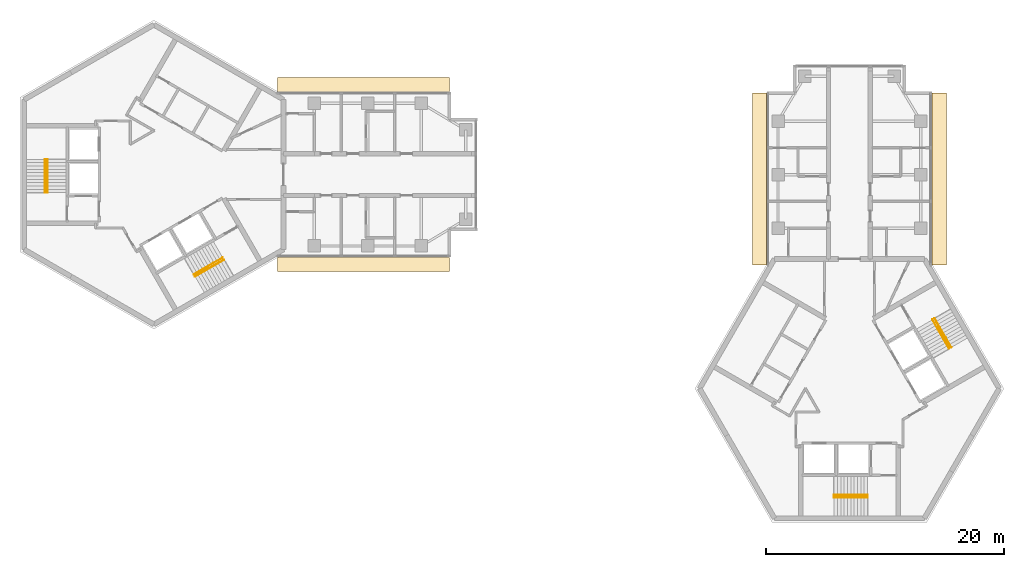
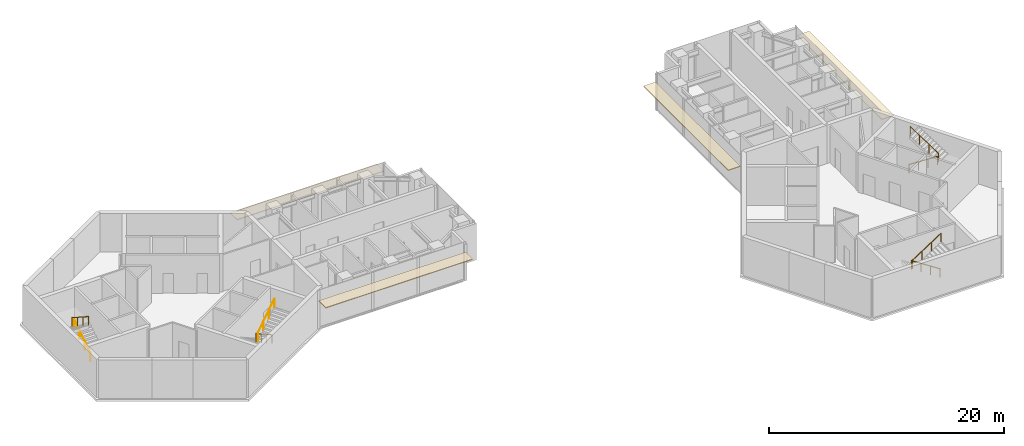
# One storey, part 11 of 11: 8 railings, 4 coverings.
"""IFC4 building model written with IfcOpenShell, lengths in metres."""

import ifcopenshell
import ifcopenshell.guid

model = None  # the IFC model being written
_history = None  # IfcOwnerHistory: only IFC2X3 demands one
_inside = {}  # id of a spatial element -> (the spatial element, [elements in it])
_under = {}  # id of a project, library or spatial element -> (it, [spatial elements below it])
_declared = {}  # id of a project -> (the project, [libraries it declares])
_typed = {}  # id of a type object -> (the type object, [elements of that type])
_made_of = {}  # id of a material, layer set ... -> (it, [elements and type objects made of it])


def new_model(schema):
    """Start an empty IFC model of exactly this schema.

    Asked for "IFC4X3", IfcOpenShell would pick the latest addendum, in which some entities
    have other attributes; the version numbers below select the first issue.
    IFC2X3 requires an IfcOwnerHistory on every rooted entity: one is made here for all.
    """
    global model, _history
    if schema == "IFC4X3":
        model = ifcopenshell.file(schema_version=(4, 3, 0, 0))
    else:
        model = ifcopenshell.file(schema=schema)
    _inside.clear()
    _under.clear()
    _declared.clear()
    _typed.clear()
    _made_of.clear()
    _history = None
    if model.schema == "IFC2X3":
        org = make("IfcOrganization", Name="unknown")
        user = make(
            "IfcPersonAndOrganization",
            ThePerson=make("IfcPerson", FamilyName="unknown"),
            TheOrganization=org,
        )
        app = make(
            "IfcApplication",
            ApplicationDeveloper=org,
            Version="unknown",
            ApplicationFullName="unknown",
            ApplicationIdentifier="unknown",
        )
        _history = make(
            "IfcOwnerHistory",
            OwningUser=user,
            OwningApplication=app,
            ChangeAction="ADDED",
            CreationDate=0,
        )
    return model


def make(cls, **values):
    """One entity of the class cls with the attributes given. An attribute that is None is left unset."""
    return model.create_entity(
        cls, **{name: value for name, value in values.items() if value is not None}
    )


def rooted(cls, **values):
    """An entity with a GlobalId (a new one), such as an element, a storey or a relation."""
    return make(cls, GlobalId=ifcopenshell.guid.new(), OwnerHistory=_history, **values)


def si_unit(unit_type, name, prefix=None):
    """IfcSIUnit, for example si_unit("LENGTHUNIT", "METRE", prefix="MILLI")."""
    return make("IfcSIUnit", UnitType=unit_type, Prefix=prefix, Name=name)


def assignment(units):
    """IfcUnitAssignment: the units of a project."""
    return None if units is None else make("IfcUnitAssignment", Units=units)


def point(xyz):
    """IfcCartesianPoint."""
    return None if xyz is None else make("IfcCartesianPoint", Coordinates=xyz)


def direction(xyz):
    """IfcDirection."""
    return None if xyz is None else make("IfcDirection", DirectionRatios=xyz)


def frame(location, z_axis=None, x_axis=None):
    """IfcAxis2Placement3D, a coordinate frame: its origin and axes. An axis left out is left unset."""
    return make(
        "IfcAxis2Placement3D",
        Location=point(location),
        Axis=direction(z_axis),
        RefDirection=direction(x_axis),
    )


def frame_2d(location, x_axis=None):
    """IfcAxis2Placement2D, a coordinate frame in the plane: its origin and x axis."""
    return make(
        "IfcAxis2Placement2D", Location=point(location), RefDirection=direction(x_axis)
    )


def origin():
    """The frame at (0, 0, 0) with its axes left unset."""
    return frame((0.0, 0.0, 0.0))


def origin_2d():
    """The frame at (0, 0) in the plane with its x axis left unset."""
    return frame_2d((0.0, 0.0))


def place(relative_to, where):
    """IfcLocalPlacement: puts the frame where relative to a parent placement (None: the world)."""
    return make(
        "IfcLocalPlacement", PlacementRelTo=relative_to, RelativePlacement=where
    )


def context(
    kind, dimensions, precision=None, world=None, true_north=None, identifier=None
):
    """IfcGeometricRepresentationContext, for example the 3D "Model" context."""
    return make(
        "IfcGeometricRepresentationContext",
        ContextIdentifier=identifier,
        ContextType=kind,
        CoordinateSpaceDimension=dimensions,
        Precision=precision,
        WorldCoordinateSystem=world,
        TrueNorth=true_north,
    )


def subcontext(parent, identifier, kind, view, scale=None):
    """IfcGeometricRepresentationSubContext, for example "Body" below "Model"."""
    return make(
        "IfcGeometricRepresentationSubContext",
        ContextIdentifier=identifier,
        ContextType=kind,
        ParentContext=parent,
        TargetScale=scale,
        TargetView=view,
    )


def project(units=None, contexts=None):
    """IfcProject with its units and contexts."""
    return rooted(
        "IfcProject",
        Name="project",
        RepresentationContexts=contexts,
        UnitsInContext=assignment(units),
    )


def spatial(cls, under=None, at=None, **own):
    """A site, building, storey or space (cls), placed at a placement, below another one or the project."""
    s = rooted(cls, ObjectPlacement=at, **own)
    if under is not None:
        _under.setdefault(under.id(), (under, []))[1].append(s)
    return s


def profile(cls, at=None, kind="AREA", **sizes):
    """A parametric profile (cls). Its sizes go by their IFC names, for example OverallWidth=200.0."""
    return make(cls, ProfileType=kind, Position=at, **sizes)


def rectangle(**sizes):
    """IfcRectangleProfileDef."""
    return profile("IfcRectangleProfileDef", **sizes)


def circle(**sizes):
    """IfcCircleProfileDef."""
    return profile("IfcCircleProfileDef", **sizes)


def extrude(swept, where, along, depth):
    """IfcExtrudedAreaSolid: the profile swept, set in the frame where, extruded along a direction by depth."""
    return make(
        "IfcExtrudedAreaSolid",
        SweptArea=swept,
        Position=where,
        ExtrudedDirection=direction(along),
        Depth=depth,
    )


def shape(context_of_items, identifier, shape_type, items):
    """IfcShapeRepresentation: the items that make up one representation, for example the "Body"."""
    return make(
        "IfcShapeRepresentation",
        ContextOfItems=context_of_items,
        RepresentationIdentifier=identifier,
        RepresentationType=shape_type,
        Items=items,
    )


def material(Name=None, Category=None):
    """IfcMaterial."""
    return make("IfcMaterial", Name=Name, Category=Category)


def layer(
    of_material, thickness, ventilated=None, Name=None, Category=None, Priority=None
):
    """IfcMaterialLayer: one layer of a wall or slab, of a material (None: an air gap)."""
    return make(
        "IfcMaterialLayer",
        Material=of_material,
        LayerThickness=thickness,
        IsVentilated=ventilated,
        Name=Name,
        Category=Category,
        Priority=Priority,
    )


def layer_set(layers, Name=None):
    """IfcMaterialLayerSet."""
    return make("IfcMaterialLayerSet", MaterialLayers=layers, LayerSetName=Name)


def made_of(thing, what):
    """Note that an element or type object is made of a material, layer set ...; save() writes the relation."""
    if what is not None:
        _made_of.setdefault(what.id(), (what, []))[1].append(thing)
    return thing


def type_object(cls, material=None, **own):
    """A type object (cls), such as IfcWallType, which elements share."""
    return made_of(rooted(cls, **own), material)


def element(
    cls,
    number,
    at=None,
    inside=None,
    cuts=None,
    type_object=None,
    material=None,
    context=None,
    identifier="Body",
    shape_type=None,
    held_by="IfcProductDefinitionShape",
    body=None,
    shapes=None,
    **own,
):
    """One element of the class cls, such as IfcWall. Its Tag is "e" and its number.

    at: its placement. inside: the storey or other place that contains it. cuts: it is an
    opening in that element (IfcRelVoidsElement). A single representation is given by context,
    identifier, shape_type and body (its items); several are given by shapes. held_by: the class
    of the entity that holds the representations. save() writes the other relations.
    """
    e = rooted(cls, Tag="e%d" % number, ObjectPlacement=at, **own)
    if body is not None:
        shapes = [shape(context, identifier, shape_type, body)]
    if shapes is not None:
        e.Representation = make(held_by, Representations=shapes)
    if inside is not None:
        _inside.setdefault(inside.id(), (inside, []))[1].append(e)
    if cuts is not None:
        rooted(
            "IfcRelVoidsElement", RelatingBuildingElement=cuts, RelatedOpeningElement=e
        )
    if type_object is not None:
        _typed.setdefault(type_object.id(), (type_object, []))[1].append(e)
    return made_of(e, material)


def aggregate(whole, parts):
    """IfcRelAggregates: a whole, such as a stair, and the parts it consists of."""
    return rooted("IfcRelAggregates", RelatingObject=whole, RelatedObjects=parts)


def save(model, path):
    """Write the relations noted so far, then the file.

    IfcRelAggregates (storeys below a building ...), IfcRelContainedInSpatialStructure (elements
    in a storey), IfcRelDefinesByType, IfcRelAssociatesMaterial and IfcRelDeclares: one each for
    every whole, place, type object, material and project.
    """
    for whole, parts in _under.values():
        aggregate(whole, parts)
    for where, things in _inside.values():
        rooted(
            "IfcRelContainedInSpatialStructure",
            RelatedElements=things,
            RelatingStructure=where,
        )
    for kind, things in _typed.values():
        rooted("IfcRelDefinesByType", RelatedObjects=things, RelatingType=kind)
    for what, things in _made_of.values():
        rooted("IfcRelAssociatesMaterial", RelatedObjects=things, RelatingMaterial=what)
    for by, libraries in _declared.values():
        rooted("IfcRelDeclares", RelatingContext=by, RelatedDefinitions=libraries)
    model.write(path)


model = new_model("IFC4")

# Units and contexts
model_context = context("Model", 3, precision=1e-05, world=origin(), true_north=direction((0.0, 1.0)))
body_context = subcontext(model_context, "Body", "Model", "MODEL_VIEW")
ifc_project = project(units=[si_unit("LENGTHUNIT", "METRE"), si_unit("AREAUNIT", "SQUARE_METRE"), si_unit("VOLUMEUNIT", "CUBIC_METRE"), si_unit("PLANEANGLEUNIT", "RADIAN"), si_unit("MASSUNIT", "GRAM", prefix="KILO")], contexts=[model_context])

# Site, building, storey
site_placement = place(None, origin())
site = spatial("IfcSite", under=ifc_project, at=site_placement, CompositionType="ELEMENT")
building_placement = place(site_placement, origin())
building = spatial("IfcBuilding", under=site, at=building_placement, Name="Upepo Twin Towers", CompositionType="ELEMENT")
storey_placement = place(building_placement, frame((0.0, 0.0, 259.5)))
storey = spatial("IfcBuildingStorey", under=building, at=storey_placement, Name="L63", CompositionType="ELEMENT", Elevation=259.5)

# Coverings
ifc_material_1 = material(Name="Anodised aluminium, pale silver", Category="aluminium")
ifc_layer = layer(ifc_material_1, 0.080078125)
ifc_layer_set = layer_set([ifc_layer], Name="Brise-soleil blade 1200 pale aluminium")
covering_type = type_object("IfcCoveringType", Name="Brise-soleil blade 1200 pale aluminium", PredefinedType="USERDEFINED", material=ifc_layer_set)
for number, where, z_axis, x_axis, name in (
    (1, (17.61865234375, 7.56494140625, 2.909912109375), (0.0, 0.0, 1.0), (1.0, 0.0, 0.0), "T1 L63 wing A brise-soleil L"),
    (2, (17.61865234375, -7.56494140625, 2.909912109375), (0.0, 0.0, 1.0), (1.0, 0.0, 0.0), "T1 L63 wing A brise-soleil R"),
    (3, (50.93505859375, -0.38134765625, 2.909912109375), (0.0, 0.0, 1.0), (0.0, 1.0, 0.0), "T2 L63 wing A brise-soleil L"),
    (4, (66.06494140625, -0.38134765625, 2.909912109375), (0.0, 0.0, 1.0), (0.0, 1.0, 0.0), "T2 L63 wing A brise-soleil R"),
):
    element("IfcCovering", number, at=place(storey_placement, frame(where, z_axis=z_axis, x_axis=x_axis)), inside=storey, type_object=covering_type, Name=name, ObjectType="SUNSHADE", PredefinedType="USERDEFINED", context=body_context, shape_type="SweptSolid", body=[
        extrude(rectangle(XDim=14.462890625, YDim=1.199951171875, at=origin_2d()), origin(), (0.0, 0.0, 1.0), 0.080078125),
    ])

# Railings
ifc_material_2 = material(Name="Stainless steel", Category="steel")
railing_type = type_object("IfcRailingType", Name="Stair handrail 900", PredefinedType="HANDRAIL", material=ifc_material_2)
railing_1_placement = place(storey_placement, frame((-8.949951171875, -1.52001953125, 0.181884765625)))
element("IfcRailing", 5, at=railing_1_placement, inside=storey, type_object=railing_type, Name="T1 stair S1 L63 handrail 1", PredefinedType="HANDRAIL", context=body_context, shape_type="SweptSolid", body=[
    extrude(circle(Radius=0.02392578125, at=origin_2d()), frame((0.0, 0.0, 0.8759765625), z_axis=(0.0, 0.838705829183, 0.544584733623), x_axis=(-1.0, 0.0, 0.0)), (0.0, 0.0, 1.0), 3.338623046875),
    extrude(circle(Radius=0.02099609375, at=origin_2d()), origin(), (0.0, 0.0, 1.0), 0.851806640625),
    extrude(circle(Radius=0.02099609375, at=origin_2d()), frame((0.0, 0.933349609375, 0.60595703125)), (0.0, 0.0, 1.0), 0.851806640625),
    extrude(circle(Radius=0.02099609375, at=origin_2d()), frame((0.0, 1.86669921875, 1.212158203125)), (0.0, 0.0, 1.0), 0.851806640625),
    extrude(circle(Radius=0.02099609375, at=origin_2d()), frame((0.0, 2.800048828125, 1.818115234375)), (0.0, 0.0, 1.0), 0.851806640625),
])
railing_2_placement = place(storey_placement, frame((-9.158447265625, 1.280029296875, 2.181884765625)))
element("IfcRailing", 6, at=railing_2_placement, inside=storey, type_object=railing_type, Name="T1 stair S1 L63 handrail 2", PredefinedType="HANDRAIL", context=body_context, shape_type="SweptSolid", body=[
    extrude(circle(Radius=0.02392578125, at=origin_2d()), frame((0.0, 0.0, 0.8759765625), z_axis=(0.0, -0.838705829183, 0.544584733623), x_axis=(1.0, 0.0, 0.0)), (0.0, 0.0, 1.0), 3.338623046875),
    extrude(circle(Radius=0.02099609375, at=origin_2d()), origin(), (0.0, 0.0, 1.0), 0.851806640625),
    extrude(circle(Radius=0.02099609375, at=origin_2d()), frame((0.0, -0.933349609375, 0.60595703125)), (0.0, 0.0, 1.0), 0.851806640625),
    extrude(circle(Radius=0.02099609375, at=origin_2d()), frame((0.0, -1.86669921875, 1.212158203125)), (0.0, 0.0, 1.0), 0.851806640625),
    extrude(circle(Radius=0.02099609375, at=origin_2d()), frame((0.0, -2.800048828125, 1.818115234375)), (0.0, 0.0, 1.0), 0.851806640625),
])
railing_3_placement = place(storey_placement, frame((5.791259765625, -6.990966796875, 0.181884765625)))
element("IfcRailing", 7, at=railing_3_placement, inside=storey, type_object=railing_type, Name="T1 stair S2 L63 handrail 1", PredefinedType="HANDRAIL", context=body_context, shape_type="SweptSolid", body=[
    extrude(circle(Radius=0.02392578125, at=origin_2d()), frame((0.0, 0.0, 0.8759765625), z_axis=(-0.726336304947, -0.419332699614, 0.544605966869), x_axis=(0.49998411664, -0.866034573852, 0.0)), (0.0, 0.0, 1.0), 3.33837890625),
    extrude(circle(Radius=0.02099609375, at=origin_2d()), origin(), (0.0, 0.0, 1.0), 0.851806640625),
    extrude(circle(Radius=0.02099609375, at=origin_2d()), frame((-0.808349609375, -0.466552734375, 0.60595703125)), (0.0, 0.0, 1.0), 0.851806640625),
    extrude(circle(Radius=0.02099609375, at=origin_2d()), frame((-1.616455078125, -0.933349609375, 1.212158203125)), (0.0, 0.0, 1.0), 0.851806640625),
    extrude(circle(Radius=0.02099609375, at=origin_2d()), frame((-2.4248046875, -1.39990234375, 1.818115234375)), (0.0, 0.0, 1.0), 0.851806640625),
])
railing_4_placement = place(storey_placement, frame((3.470703125, -8.5712890625, 2.181884765625)))
element("IfcRailing", 8, at=railing_4_placement, inside=storey, type_object=railing_type, Name="T1 stair S2 L63 handrail 2", PredefinedType="HANDRAIL", context=body_context, shape_type="SweptSolid", body=[
    extrude(circle(Radius=0.02392578125, at=origin_2d()), frame((0.0, 0.0, 0.8759765625), z_axis=(0.726336304947, 0.419332699614, 0.544605966869), x_axis=(-0.49998411664, 0.866034573852, 0.0)), (0.0, 0.0, 1.0), 3.33837890625),
    extrude(circle(Radius=0.02099609375, at=origin_2d()), origin(), (0.0, 0.0, 1.0), 0.851806640625),
    extrude(circle(Radius=0.02099609375, at=origin_2d()), frame((0.808349609375, 0.466552734375, 0.60595703125)), (0.0, 0.0, 1.0), 0.851806640625),
    extrude(circle(Radius=0.02099609375, at=origin_2d()), frame((1.616455078125, 0.933349609375, 1.212158203125)), (0.0, 0.0, 1.0), 0.851806640625),
    extrude(circle(Radius=0.02099609375, at=origin_2d()), frame((2.4248046875, 1.39990234375, 1.818115234375)), (0.0, 0.0, 1.0), 0.851806640625),
])
railing_5_placement = place(storey_placement, frame((60.02001953125, -26.949951171875, 0.181884765625)))
element("IfcRailing", 9, at=railing_5_placement, inside=storey, type_object=railing_type, Name="T2 stair S1 L63 handrail 1", PredefinedType="HANDRAIL", context=body_context, shape_type="SweptSolid", body=[
    extrude(circle(Radius=0.02392578125, at=origin_2d()), frame((0.0, 0.0, 0.8759765625), z_axis=(-0.838705829183, 0.0, 0.544584733623), x_axis=(0.0, -1.0, 0.0)), (0.0, 0.0, 1.0), 3.338623046875),
    extrude(circle(Radius=0.02099609375, at=origin_2d()), origin(), (0.0, 0.0, 1.0), 0.851806640625),
    extrude(circle(Radius=0.02099609375, at=origin_2d()), frame((-0.933349609375, 0.0, 0.60595703125)), (0.0, 0.0, 1.0), 0.851806640625),
    extrude(circle(Radius=0.02099609375, at=origin_2d()), frame((-1.86669921875, 0.0, 1.212158203125)), (0.0, 0.0, 1.0), 0.851806640625),
    extrude(circle(Radius=0.02099609375, at=origin_2d()), frame((-2.800048828125, 0.0, 1.818115234375)), (0.0, 0.0, 1.0), 0.851806640625),
])
railing_6_placement = place(storey_placement, frame((57.219970703125, -27.158447265625, 2.181884765625)))
element("IfcRailing", 10, at=railing_6_placement, inside=storey, type_object=railing_type, Name="T2 stair S1 L63 handrail 2", PredefinedType="HANDRAIL", context=body_context, shape_type="SweptSolid", body=[
    extrude(circle(Radius=0.02392578125, at=origin_2d()), frame((0.0, 0.0, 0.8759765625), z_axis=(0.838705829183, 0.0, 0.544584733623), x_axis=(0.0, 1.0, 0.0)), (0.0, 0.0, 1.0), 3.338623046875),
    extrude(circle(Radius=0.02099609375, at=origin_2d()), origin(), (0.0, 0.0, 1.0), 0.851806640625),
    extrude(circle(Radius=0.02099609375, at=origin_2d()), frame((0.933349609375, 0.0, 0.60595703125)), (0.0, 0.0, 1.0), 0.851806640625),
    extrude(circle(Radius=0.02099609375, at=origin_2d()), frame((1.86669921875, 0.0, 1.212158203125)), (0.0, 0.0, 1.0), 0.851806640625),
    extrude(circle(Radius=0.02099609375, at=origin_2d()), frame((2.800048828125, 0.0, 1.818115234375)), (0.0, 0.0, 1.0), 0.851806640625),
])
railing_7_placement = place(storey_placement, frame((65.490966796875, -12.208740234375, 0.181884765625)))
element("IfcRailing", 11, at=railing_7_placement, inside=storey, type_object=railing_type, Name="T2 stair S2 L63 handrail 1", PredefinedType="HANDRAIL", context=body_context, shape_type="SweptSolid", body=[
    extrude(circle(Radius=0.02392578125, at=origin_2d()), frame((0.0, 0.0, 0.8759765625), z_axis=(0.419332699614, -0.726336304947, 0.544605966869), x_axis=(0.866034573852, 0.49998411664, 0.0)), (0.0, 0.0, 1.0), 3.33837890625),
    extrude(circle(Radius=0.02099609375, at=origin_2d()), origin(), (0.0, 0.0, 1.0), 0.851806640625),
    extrude(circle(Radius=0.02099609375, at=origin_2d()), frame((0.466552734375, -0.808349609375, 0.60595703125)), (0.0, 0.0, 1.0), 0.851806640625),
    extrude(circle(Radius=0.02099609375, at=origin_2d()), frame((0.933349609375, -1.616455078125, 1.212158203125)), (0.0, 0.0, 1.0), 0.851806640625),
    extrude(circle(Radius=0.02099609375, at=origin_2d()), frame((1.39990234375, -2.4248046875, 1.818115234375)), (0.0, 0.0, 1.0), 0.851806640625),
])
railing_8_placement = place(storey_placement, frame((67.0712890625, -14.529296875, 2.181884765625)))
element("IfcRailing", 12, at=railing_8_placement, inside=storey, type_object=railing_type, Name="T2 stair S2 L63 handrail 2", PredefinedType="HANDRAIL", context=body_context, shape_type="SweptSolid", body=[
    extrude(circle(Radius=0.02392578125, at=origin_2d()), frame((0.0, 0.0, 0.8759765625), z_axis=(-0.419332699614, 0.726336304947, 0.544605966869), x_axis=(-0.866034573852, -0.49998411664, 0.0)), (0.0, 0.0, 1.0), 3.33837890625),
    extrude(circle(Radius=0.02099609375, at=origin_2d()), origin(), (0.0, 0.0, 1.0), 0.851806640625),
    extrude(circle(Radius=0.02099609375, at=origin_2d()), frame((-0.466552734375, 0.808349609375, 0.60595703125)), (0.0, 0.0, 1.0), 0.851806640625),
    extrude(circle(Radius=0.02099609375, at=origin_2d()), frame((-0.933349609375, 1.616455078125, 1.212158203125)), (0.0, 0.0, 1.0), 0.851806640625),
    extrude(circle(Radius=0.02099609375, at=origin_2d()), frame((-1.39990234375, 2.4248046875, 1.818115234375)), (0.0, 0.0, 1.0), 0.851806640625),
])

save(model, "model.ifc")
